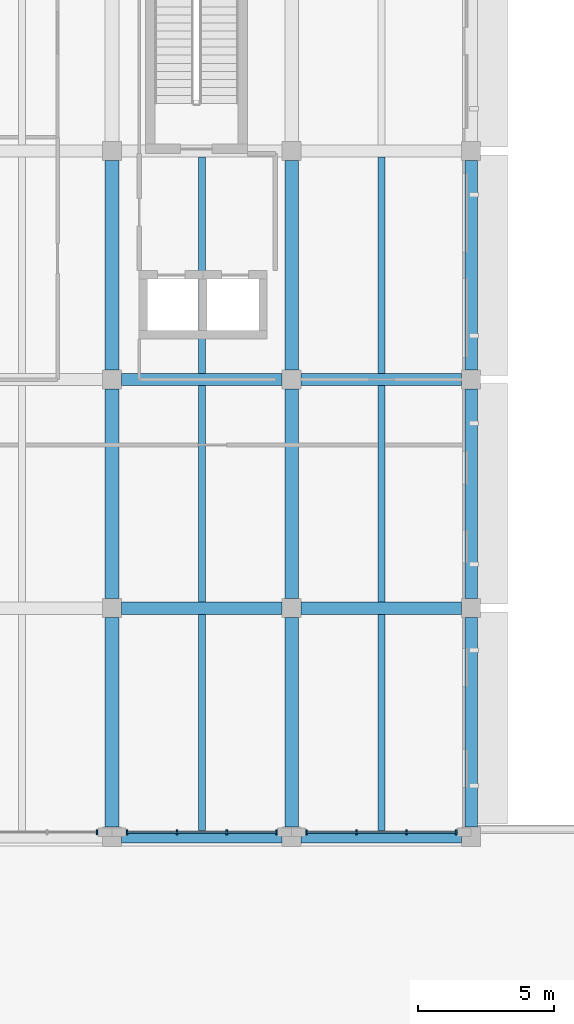
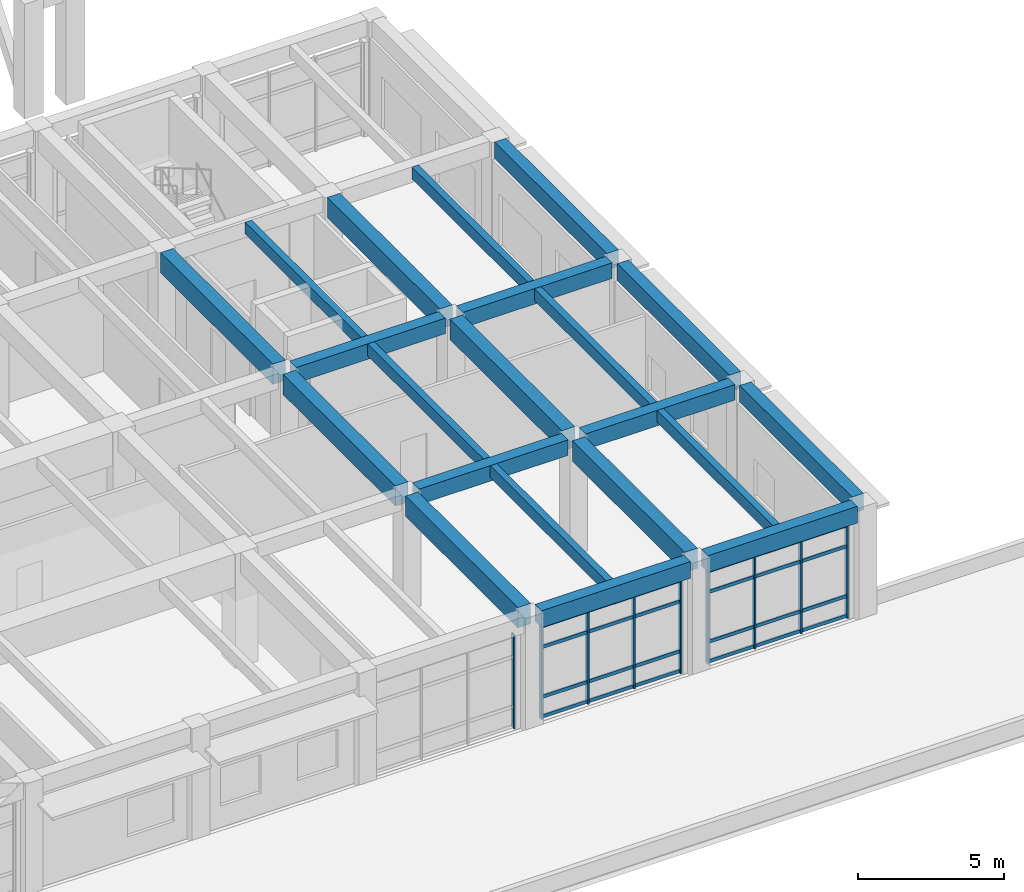
# One storey, part 8 of 75: 21 beams, 17 members, 3 elements without a shape of their own.
"""IFC4 building model written with IfcOpenShell, lengths in metres."""

from ifc_helpers import new_model, si_unit, direction, frame, origin, origin_2d, place, context, subcontext, project, spatial, rectangle, extrude, material, layer, layer_set, material_profile, profile_set, type_object, element, aggregate, save


model = new_model("IFC4")

# Units and contexts
model_context = context("Model", 3, precision=1e-05, world=origin(), true_north=direction((0.0, 1.0)))
body_context = subcontext(model_context, "Body", "Model", "MODEL_VIEW")
ifc_project = project(units=[si_unit("LENGTHUNIT", "METRE"), si_unit("AREAUNIT", "SQUARE_METRE"), si_unit("VOLUMEUNIT", "CUBIC_METRE"), si_unit("PLANEANGLEUNIT", "RADIAN"), si_unit("MASSUNIT", "GRAM", prefix="KILO")], contexts=[model_context])

# Site, building, storey
site_placement = place(None, origin())
site = spatial("IfcSite", under=ifc_project, at=site_placement, CompositionType="ELEMENT")
building_placement = place(site_placement, origin())
building = spatial("IfcBuilding", under=site, at=building_placement, Name="Kolvaren Faculty of Natural Sciences", CompositionType="ELEMENT")
storey_placement = place(building_placement, frame((0.0, 0.0, 5.39990234375)))
storey = spatial("IfcBuildingStorey", under=building, at=storey_placement, Name="L01", CompositionType="ELEMENT", Elevation=5.39990234375)

# Curtain wall, members
ifc_material_1 = material(Name="Thermally broken anodised aluminium framing", Category="aluminium")
ifc_layer = layer(ifc_material_1, 0.179931640625)
ifc_layer_set = layer_set([ifc_layer], Name="Thermally broken anodised aluminium framing")
curtain_wall_type = type_object("IfcCurtainWallType", Name="CommonsCurtainWall_CW02", PredefinedType="NOTDEFINED", material=ifc_layer_set)
curtain_wall_1_placement = place(storey_placement, origin())
curtain_wall_1 = element("IfcCurtainWall", 1, at=curtain_wall_1_placement, inside=storey, type_object=curtain_wall_type, Name="L01 unitised curtain wall CW-02 (CW-L01-018)", PredefinedType="NOTDEFINED")
ifc_material_profile_1 = material_profile(ifc_material_1, rectangle(XDim=0.06005859375, YDim=0.179931640625, at=origin_2d()), Name="ALU MUL 60x180")
ifc_profile_set_1 = profile_set([ifc_material_profile_1], Name="Thermally broken anodised aluminium framing")
member_type_1 = type_object("IfcMemberType", Name="CurtainMullion_60x180", PredefinedType="MULLION", material=ifc_profile_set_1)
member_1_placement = place(storey_placement, frame((45.85009765625, 8.760009765625, 0.0), z_axis=(0.0, 0.0, 1.0), x_axis=(-1.0, 0.0, 0.0)))
member_1 = element("IfcMember", 2, at=member_1_placement, type_object=member_type_1, Name="CW-L01-018 vertical mullion 1", PredefinedType="MULLION", context=body_context, shape_type="SweptSolid", body=[
    extrude(rectangle(XDim=0.06005859375, YDim=0.179931640625, at=origin_2d()), origin(), (0.0, 0.0, 1.0), 3.93505859375),
])
member_2_placement = place(storey_placement, frame((44.0166015625, 8.760009765625, 0.0), z_axis=(0.0, 0.0, 1.0), x_axis=(-1.0, 0.0, 0.0)))
member_2 = element("IfcMember", 3, at=member_2_placement, type_object=member_type_1, Name="CW-L01-018 vertical mullion 2", PredefinedType="MULLION", context=body_context, shape_type="SweptSolid", body=[
    extrude(rectangle(XDim=0.06005859375, YDim=0.179931640625, at=origin_2d()), origin(), (0.0, 0.0, 1.0), 3.93505859375),
])
member_3_placement = place(storey_placement, frame((42.183349609375, 8.760009765625, 0.0), z_axis=(0.0, 0.0, 1.0), x_axis=(-1.0, 0.0, 0.0)))
member_3 = element("IfcMember", 4, at=member_3_placement, type_object=member_type_1, Name="CW-L01-018 vertical mullion 3", PredefinedType="MULLION", context=body_context, shape_type="SweptSolid", body=[
    extrude(rectangle(XDim=0.06005859375, YDim=0.179931640625, at=origin_2d()), origin(), (0.0, 0.0, 1.0), 3.93505859375),
])
member_4_placement = place(storey_placement, frame((40.35009765625, 8.760009765625, 0.0), z_axis=(0.0, 0.0, 1.0), x_axis=(-1.0, 0.0, 0.0)))
member_4 = element("IfcMember", 5, at=member_4_placement, type_object=member_type_1, Name="CW-L01-018 vertical mullion 4", PredefinedType="MULLION", context=body_context, shape_type="SweptSolid", body=[
    extrude(rectangle(XDim=0.06005859375, YDim=0.179931640625, at=origin_2d()), origin(), (0.0, 0.0, 1.0), 3.93505859375),
])

curtain_wall_2_placement = place(storey_placement, origin())
curtain_wall_2 = element("IfcCurtainWall", 6, at=curtain_wall_2_placement, inside=storey, type_object=curtain_wall_type, Name="L01 unitised curtain wall CW-02 (CW-L01-019)", PredefinedType="NOTDEFINED")
member_5_placement = place(storey_placement, frame((39.25, 8.760009765625, 0.0), z_axis=(0.0, 0.0, 1.0), x_axis=(-1.0, 0.0, 0.0)))
member_5 = element("IfcMember", 7, at=member_5_placement, type_object=member_type_1, Name="CW-L01-019 vertical mullion 1", PredefinedType="MULLION", context=body_context, shape_type="SweptSolid", body=[
    extrude(rectangle(XDim=0.06005859375, YDim=0.179931640625, at=origin_2d()), origin(), (0.0, 0.0, 1.0), 3.93505859375),
])
member_6_placement = place(storey_placement, frame((37.416748046875, 8.760009765625, 0.0), z_axis=(0.0, 0.0, 1.0), x_axis=(-1.0, 0.0, 0.0)))
member_6 = element("IfcMember", 8, at=member_6_placement, type_object=member_type_1, Name="CW-L01-019 vertical mullion 2", PredefinedType="MULLION", context=body_context, shape_type="SweptSolid", body=[
    extrude(rectangle(XDim=0.06005859375, YDim=0.179931640625, at=origin_2d()), origin(), (0.0, 0.0, 1.0), 3.93505859375),
])
member_7_placement = place(storey_placement, frame((35.583251953125, 8.760009765625, 0.0), z_axis=(0.0, 0.0, 1.0), x_axis=(-1.0, 0.0, 0.0)))
member_7 = element("IfcMember", 9, at=member_7_placement, type_object=member_type_1, Name="CW-L01-019 vertical mullion 3", PredefinedType="MULLION", context=body_context, shape_type="SweptSolid", body=[
    extrude(rectangle(XDim=0.06005859375, YDim=0.179931640625, at=origin_2d()), origin(), (0.0, 0.0, 1.0), 3.93505859375),
])
member_8_placement = place(storey_placement, frame((33.75, 8.760009765625, 0.0), z_axis=(0.0, 0.0, 1.0), x_axis=(-1.0, 0.0, 0.0)))
member_8 = element("IfcMember", 10, at=member_8_placement, type_object=member_type_1, Name="CW-L01-019 vertical mullion 4", PredefinedType="MULLION", context=body_context, shape_type="SweptSolid", body=[
    extrude(rectangle(XDim=0.06005859375, YDim=0.179931640625, at=origin_2d()), origin(), (0.0, 0.0, 1.0), 3.93505859375),
])

# Curtain wall, member
curtain_wall_3_placement = place(storey_placement, origin())
curtain_wall_3 = element("IfcCurtainWall", 11, at=curtain_wall_3_placement, inside=storey, type_object=curtain_wall_type, Name="L01 unitised curtain wall CW-02 (CW-L01-020)", PredefinedType="NOTDEFINED")
member_9_placement = place(storey_placement, frame((32.64990234375, 8.760009765625, 0.0), z_axis=(0.0, 0.0, 1.0), x_axis=(-1.0, 0.0, 0.0)))
member_9 = element("IfcMember", 12, at=member_9_placement, type_object=member_type_1, Name="CW-L01-020 vertical mullion 1", PredefinedType="MULLION", context=body_context, shape_type="SweptSolid", body=[
    extrude(rectangle(XDim=0.06005859375, YDim=0.179931640625, at=origin_2d()), origin(), (0.0, 0.0, 1.0), 3.93505859375),
])
aggregate(curtain_wall_3, [member_9])

# Member
ifc_material_profile_2 = material_profile(ifc_material_1, rectangle(XDim=0.06005859375, YDim=0.139892578125, at=origin_2d()), Name="ALU TRN 60x140")
ifc_profile_set_2 = profile_set([ifc_material_profile_2], Name="Thermally broken anodised aluminium framing")
member_type_2 = type_object("IfcMemberType", Name="CurtainTransom_60x140", PredefinedType="USERDEFINED", material=ifc_profile_set_2)
member_10_placement = place(storey_placement, frame((45.85009765625, 8.760009765625, 0.080078125), z_axis=(-1.0, 0.0, 0.0), x_axis=(0.0, -1.0, 0.0)))
member_10 = element("IfcMember", 13, at=member_10_placement, type_object=member_type_2, Name="CW-L01-018 horizontal transom 1", ObjectType="TRANSOM", PredefinedType="USERDEFINED", context=body_context, shape_type="SweptSolid", body=[
    extrude(rectangle(XDim=0.06005859375, YDim=0.139892578125, at=origin_2d()), origin(), (0.0, 0.0, 1.0), 5.5),
])

member_11_placement = place(storey_placement, frame((45.85009765625, 8.760009765625, 0.900146484375), z_axis=(-1.0, 0.0, 0.0), x_axis=(0.0, -1.0, 0.0)))
member_11 = element("IfcMember", 14, at=member_11_placement, type_object=member_type_2, Name="CW-L01-018 horizontal transom 2", ObjectType="TRANSOM", PredefinedType="USERDEFINED", context=body_context, shape_type="SweptSolid", body=[
    extrude(rectangle(XDim=0.06005859375, YDim=0.139892578125, at=origin_2d()), origin(), (0.0, 0.0, 1.0), 5.5),
])

member_12_placement = place(storey_placement, frame((45.85009765625, 8.760009765625, 2.985107421875), z_axis=(-1.0, 0.0, 0.0), x_axis=(0.0, -1.0, 0.0)))
member_12 = element("IfcMember", 15, at=member_12_placement, type_object=member_type_2, Name="CW-L01-018 horizontal transom 3", ObjectType="TRANSOM", PredefinedType="USERDEFINED", context=body_context, shape_type="SweptSolid", body=[
    extrude(rectangle(XDim=0.06005859375, YDim=0.139892578125, at=origin_2d()), origin(), (0.0, 0.0, 1.0), 5.5),
])

member_13_placement = place(storey_placement, frame((45.85009765625, 8.760009765625, 3.85498046875), z_axis=(-1.0, 0.0, 0.0), x_axis=(0.0, -1.0, 0.0)))
member_13 = element("IfcMember", 16, at=member_13_placement, type_object=member_type_2, Name="CW-L01-018 horizontal transom 4", ObjectType="TRANSOM", PredefinedType="USERDEFINED", context=body_context, shape_type="SweptSolid", body=[
    extrude(rectangle(XDim=0.06005859375, YDim=0.139892578125, at=origin_2d()), origin(), (0.0, 0.0, 1.0), 5.5),
])

aggregate(curtain_wall_1, [member_1, member_2, member_3, member_4, member_10, member_11, member_12, member_13])

member_14_placement = place(storey_placement, frame((39.25, 8.760009765625, 0.080078125), z_axis=(-1.0, 0.0, 0.0), x_axis=(0.0, -1.0, 0.0)))
member_14 = element("IfcMember", 17, at=member_14_placement, type_object=member_type_2, Name="CW-L01-019 horizontal transom 1", ObjectType="TRANSOM", PredefinedType="USERDEFINED", context=body_context, shape_type="SweptSolid", body=[
    extrude(rectangle(XDim=0.06005859375, YDim=0.139892578125, at=origin_2d()), origin(), (0.0, 0.0, 1.0), 5.5),
])

member_15_placement = place(storey_placement, frame((39.25, 8.760009765625, 0.900146484375), z_axis=(-1.0, 0.0, 0.0), x_axis=(0.0, -1.0, 0.0)))
member_15 = element("IfcMember", 18, at=member_15_placement, type_object=member_type_2, Name="CW-L01-019 horizontal transom 2", ObjectType="TRANSOM", PredefinedType="USERDEFINED", context=body_context, shape_type="SweptSolid", body=[
    extrude(rectangle(XDim=0.06005859375, YDim=0.139892578125, at=origin_2d()), origin(), (0.0, 0.0, 1.0), 5.5),
])

member_16_placement = place(storey_placement, frame((39.25, 8.760009765625, 2.985107421875), z_axis=(-1.0, 0.0, 0.0), x_axis=(0.0, -1.0, 0.0)))
member_16 = element("IfcMember", 19, at=member_16_placement, type_object=member_type_2, Name="CW-L01-019 horizontal transom 3", ObjectType="TRANSOM", PredefinedType="USERDEFINED", context=body_context, shape_type="SweptSolid", body=[
    extrude(rectangle(XDim=0.06005859375, YDim=0.139892578125, at=origin_2d()), origin(), (0.0, 0.0, 1.0), 5.5),
])

member_17_placement = place(storey_placement, frame((39.25, 8.760009765625, 3.85498046875), z_axis=(-1.0, 0.0, 0.0), x_axis=(0.0, -1.0, 0.0)))
member_17 = element("IfcMember", 20, at=member_17_placement, type_object=member_type_2, Name="CW-L01-019 horizontal transom 4", ObjectType="TRANSOM", PredefinedType="USERDEFINED", context=body_context, shape_type="SweptSolid", body=[
    extrude(rectangle(XDim=0.06005859375, YDim=0.139892578125, at=origin_2d()), origin(), (0.0, 0.0, 1.0), 5.5),
])

aggregate(curtain_wall_2, [member_5, member_6, member_7, member_8, member_14, member_15, member_16, member_17])

# Beams
ifc_material_2 = material(Name="Concrete C35/45", Category="concrete")
ifc_material_profile_3 = material_profile(ifc_material_2, rectangle(XDim=0.449951171875, YDim=0.64990234375, at=origin_2d()), Name="RC BM 450x650")
ifc_profile_set_3 = profile_set([ifc_material_profile_3], Name="Concrete C35/45")
beam_type_1 = type_object("IfcBeamType", Name="GridBeam_450x650", PredefinedType="BEAM", material=ifc_profile_set_3)
beam_1_placement = place(storey_placement, frame((33.550048828125, 17.0, 4.47509765625), z_axis=(1.0, 0.0, 0.0), x_axis=(0.0, 1.0, 0.0)))
element("IfcBeam", 21, at=beam_1_placement, inside=storey, type_object=beam_type_1, Name="L01 beam BM-65 on grid C", PredefinedType="BEAM", context=body_context, shape_type="SweptSolid", body=[
    extrude(rectangle(XDim=0.449951171875, YDim=0.64990234375, at=origin_2d()), origin(), (0.0, 0.0, 1.0), 5.89990234375),
])
beam_2_placement = place(storey_placement, frame((40.14990234375, 17.0, 4.47509765625), z_axis=(1.0, 0.0, 0.0), x_axis=(0.0, 1.0, 0.0)))
element("IfcBeam", 22, at=beam_2_placement, inside=storey, type_object=beam_type_1, Name="L01 beam BM-65 on grid C", PredefinedType="BEAM", context=body_context, shape_type="SweptSolid", body=[
    extrude(rectangle(XDim=0.449951171875, YDim=0.64990234375, at=origin_2d()), origin(), (0.0, 0.0, 1.0), 5.900146484375),
])
beam_3_placement = place(storey_placement, frame((33.550048828125, 25.39990234375, 4.47509765625), z_axis=(1.0, 0.0, 0.0), x_axis=(0.0, 1.0, 0.0)))
element("IfcBeam", 23, at=beam_3_placement, inside=storey, type_object=beam_type_1, Name="L01 beam BM-65 on grid D", PredefinedType="BEAM", context=body_context, shape_type="SweptSolid", body=[
    extrude(rectangle(XDim=0.449951171875, YDim=0.64990234375, at=origin_2d()), origin(), (0.0, 0.0, 1.0), 5.89990234375),
])
beam_4_placement = place(storey_placement, frame((40.14990234375, 25.39990234375, 4.47509765625), z_axis=(1.0, 0.0, 0.0), x_axis=(0.0, 1.0, 0.0)))
element("IfcBeam", 24, at=beam_4_placement, inside=storey, type_object=beam_type_1, Name="L01 beam BM-65 on grid D", PredefinedType="BEAM", context=body_context, shape_type="SweptSolid", body=[
    extrude(rectangle(XDim=0.449951171875, YDim=0.64990234375, at=origin_2d()), origin(), (0.0, 0.0, 1.0), 5.900146484375),
])
ifc_material_profile_4 = material_profile(ifc_material_2, rectangle(XDim=0.260009765625, YDim=0.5, at=origin_2d()), Name="RC JST 260x500")
ifc_profile_set_4 = profile_set([ifc_material_profile_4], Name="Concrete C35/45")
beam_type_2 = type_object("IfcBeamType", Name="LabRibJoist_260x500", PredefinedType="JOIST", material=ifc_profile_set_4)
for number, where, z_axis, x_axis, name in (
    (25, (36.5, 8.824951171875, 4.550048828125), (0.0, 1.0, 0.0), (-1.0, 0.0, 0.0), "L01 ribbed laboratory slab joist JS-50"),
    (26, (36.5, 17.22509765625, 4.550048828125), (0.0, 1.0, 0.0), (-1.0, 0.0, 0.0), "L01 ribbed laboratory slab joist JS-50"),
    (27, (36.5, 25.625, 4.550048828125), (0.0, 1.0, 0.0), (-1.0, 0.0, 0.0), "L01 ribbed laboratory slab joist JS-50"),
    (28, (43.10009765625, 8.824951171875, 4.550048828125), (0.0, 1.0, 0.0), (-1.0, 0.0, 0.0), "L01 ribbed laboratory slab joist JS-50"),
    (29, (43.10009765625, 17.22509765625, 4.550048828125), (0.0, 1.0, 0.0), (-1.0, 0.0, 0.0), "L01 ribbed laboratory slab joist JS-50"),
    (30, (43.10009765625, 25.625, 4.550048828125), (0.0, 1.0, 0.0), (-1.0, 0.0, 0.0), "L01 ribbed laboratory slab joist JS-50"),
):
    element("IfcBeam", number, at=place(storey_placement, frame(where, z_axis=z_axis, x_axis=x_axis)), inside=storey, type_object=beam_type_2, Name=name, PredefinedType="JOIST", context=body_context, shape_type="SweptSolid", body=[
        extrude(rectangle(XDim=0.260009765625, YDim=0.5, at=origin_2d()), origin(), (0.0, 0.0, 1.0), 7.949951171875),
    ])
ifc_material_profile_5 = material_profile(ifc_material_2, rectangle(XDim=0.449951171875, YDim=0.699951171875, at=origin_2d()), Name="RC SP 450x700")
ifc_profile_set_5 = profile_set([ifc_material_profile_5], Name="Concrete C35/45")
beam_type_3 = type_object("IfcBeamType", Name="PerimeterSpandrel_450x700", PredefinedType="SPANDREL", material=ifc_profile_set_5)
beam_5_placement = place(storey_placement, frame((33.550048828125, 8.60009765625, 4.4501953125), z_axis=(1.0, 0.0, 0.0), x_axis=(0.0, 1.0, 0.0)))
element("IfcBeam", 31, at=beam_5_placement, inside=storey, type_object=beam_type_3, Name="L01 spandrel SP-70 on grid B", PredefinedType="SPANDREL", context=body_context, shape_type="SweptSolid", body=[
    extrude(rectangle(XDim=0.449951171875, YDim=0.699951171875, at=origin_2d()), origin(), (0.0, 0.0, 1.0), 5.89990234375),
])
beam_6_placement = place(storey_placement, frame((40.14990234375, 8.60009765625, 4.4501953125), z_axis=(1.0, 0.0, 0.0), x_axis=(0.0, 1.0, 0.0)))
element("IfcBeam", 32, at=beam_6_placement, inside=storey, type_object=beam_type_3, Name="L01 spandrel SP-70 on grid B", PredefinedType="SPANDREL", context=body_context, shape_type="SweptSolid", body=[
    extrude(rectangle(XDim=0.449951171875, YDim=0.699951171875, at=origin_2d()), origin(), (0.0, 0.0, 1.0), 5.900146484375),
])
for number, where, z_axis, x_axis, name in (
    (33, (46.39990234375, 8.949951171875, 4.4501953125), (0.0, 1.0, 0.0), (-1.0, 0.0, 0.0), "L01 girder SP-70 on grid 8"),
    (34, (46.39990234375, 17.35009765625, 4.4501953125), (0.0, 1.0, 0.0), (-1.0, 0.0, 0.0), "L01 girder SP-70 on grid 8"),
    (35, (46.39990234375, 25.75, 4.4501953125), (0.0, 1.0, 0.0), (-1.0, 0.0, 0.0), "L01 girder SP-70 on grid 8"),
):
    element("IfcBeam", number, at=place(storey_placement, frame(where, z_axis=z_axis, x_axis=x_axis)), inside=storey, type_object=beam_type_3, Name=name, PredefinedType="SPANDREL", context=body_context, shape_type="SweptSolid", body=[
        extrude(rectangle(XDim=0.449951171875, YDim=0.699951171875, at=origin_2d()), origin(), (0.0, 0.0, 1.0), 7.699951171875),
    ])
ifc_material_profile_6 = material_profile(ifc_material_2, rectangle(XDim=0.5, YDim=0.85009765625, at=origin_2d()), Name="RC BM 500x850")
ifc_profile_set_6 = profile_set([ifc_material_profile_6], Name="Concrete C35/45")
beam_type_4 = type_object("IfcBeamType", Name="PrimaryGirder_500x850", PredefinedType="BEAM", material=ifc_profile_set_6)
for number, where, z_axis, x_axis, name in (
    (36, (33.199951171875, 8.949951171875, 4.375), (0.0, 1.0, 0.0), (-1.0, 0.0, 0.0), "L01 girder BG-85 on grid 6"),
    (37, (33.199951171875, 17.35009765625, 4.375), (0.0, 1.0, 0.0), (-1.0, 0.0, 0.0), "L01 girder BG-85 on grid 6"),
    (38, (33.199951171875, 25.75, 4.375), (0.0, 1.0, 0.0), (-1.0, 0.0, 0.0), "L01 girder BG-85 on grid 6"),
    (39, (39.800048828125, 8.949951171875, 4.375), (0.0, 1.0, 0.0), (-1.0, 0.0, 0.0), "L01 girder BG-85 on grid 7"),
    (40, (39.800048828125, 17.35009765625, 4.375), (0.0, 1.0, 0.0), (-1.0, 0.0, 0.0), "L01 girder BG-85 on grid 7"),
    (41, (39.800048828125, 25.75, 4.375), (0.0, 1.0, 0.0), (-1.0, 0.0, 0.0), "L01 girder BG-85 on grid 7"),
):
    element("IfcBeam", number, at=place(storey_placement, frame(where, z_axis=z_axis, x_axis=x_axis)), inside=storey, type_object=beam_type_4, Name=name, PredefinedType="BEAM", context=body_context, shape_type="SweptSolid", body=[
        extrude(rectangle(XDim=0.5, YDim=0.85009765625, at=origin_2d()), origin(), (0.0, 0.0, 1.0), 7.699951171875),
    ])

save(model, "model.ifc")
